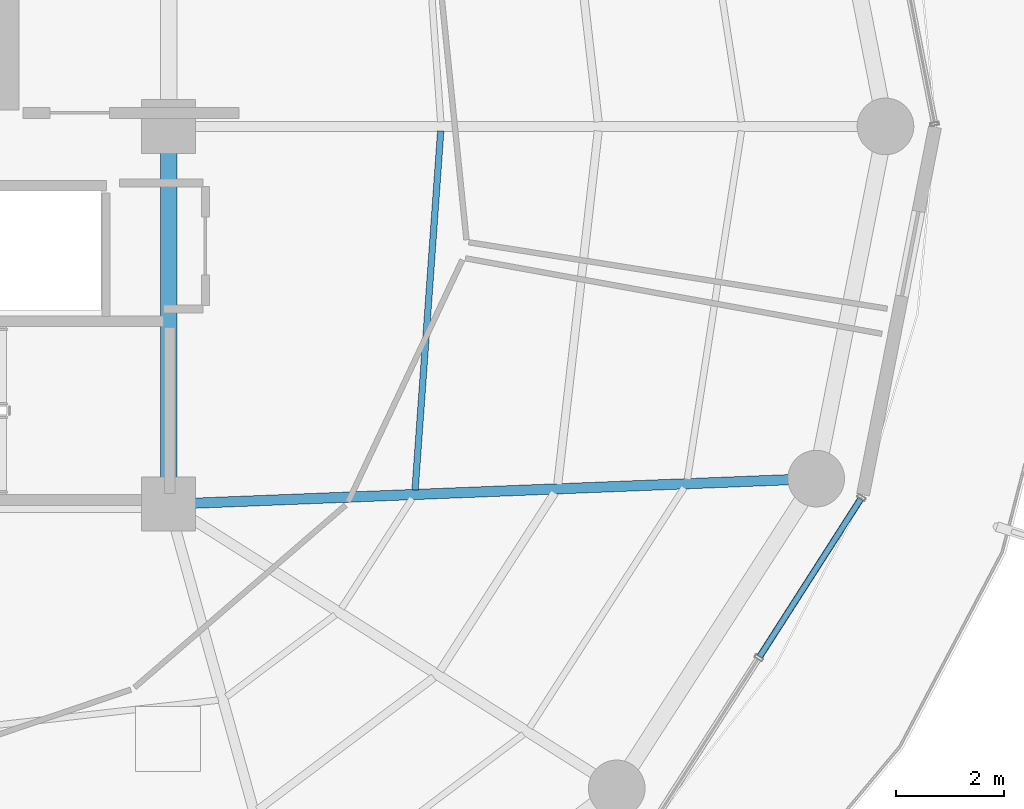
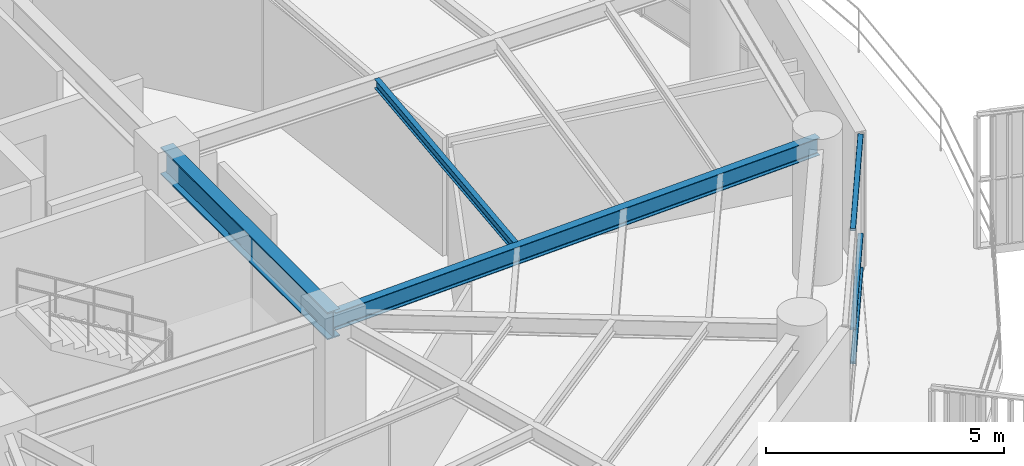
# One storey, part 12 of 31: 3 beams, 3 members, 1 element without a shape of its own.
"""IFC4 building model written with IfcOpenShell, lengths in metres."""

import ifcopenshell
import ifcopenshell.guid

model = None  # the IFC model being written
_history = None  # IfcOwnerHistory: only IFC2X3 demands one
_inside = {}  # id of a spatial element -> (the spatial element, [elements in it])
_under = {}  # id of a project, library or spatial element -> (it, [spatial elements below it])
_declared = {}  # id of a project -> (the project, [libraries it declares])
_typed = {}  # id of a type object -> (the type object, [elements of that type])
_made_of = {}  # id of a material, layer set ... -> (it, [elements and type objects made of it])


def new_model(schema):
    """Start an empty IFC model of exactly this schema.

    Asked for "IFC4X3", IfcOpenShell would pick the latest addendum, in which some entities
    have other attributes; the version numbers below select the first issue.
    IFC2X3 requires an IfcOwnerHistory on every rooted entity: one is made here for all.
    """
    global model, _history
    if schema == "IFC4X3":
        model = ifcopenshell.file(schema_version=(4, 3, 0, 0))
    else:
        model = ifcopenshell.file(schema=schema)
    _inside.clear()
    _under.clear()
    _declared.clear()
    _typed.clear()
    _made_of.clear()
    _history = None
    if model.schema == "IFC2X3":
        org = make("IfcOrganization", Name="unknown")
        user = make(
            "IfcPersonAndOrganization",
            ThePerson=make("IfcPerson", FamilyName="unknown"),
            TheOrganization=org,
        )
        app = make(
            "IfcApplication",
            ApplicationDeveloper=org,
            Version="unknown",
            ApplicationFullName="unknown",
            ApplicationIdentifier="unknown",
        )
        _history = make(
            "IfcOwnerHistory",
            OwningUser=user,
            OwningApplication=app,
            ChangeAction="ADDED",
            CreationDate=0,
        )
    return model


def make(cls, **values):
    """One entity of the class cls with the attributes given. An attribute that is None is left unset."""
    return model.create_entity(
        cls, **{name: value for name, value in values.items() if value is not None}
    )


def rooted(cls, **values):
    """An entity with a GlobalId (a new one), such as an element, a storey or a relation."""
    return make(cls, GlobalId=ifcopenshell.guid.new(), OwnerHistory=_history, **values)


def si_unit(unit_type, name, prefix=None):
    """IfcSIUnit, for example si_unit("LENGTHUNIT", "METRE", prefix="MILLI")."""
    return make("IfcSIUnit", UnitType=unit_type, Prefix=prefix, Name=name)


def assignment(units):
    """IfcUnitAssignment: the units of a project."""
    return None if units is None else make("IfcUnitAssignment", Units=units)


def point(xyz):
    """IfcCartesianPoint."""
    return None if xyz is None else make("IfcCartesianPoint", Coordinates=xyz)


def direction(xyz):
    """IfcDirection."""
    return None if xyz is None else make("IfcDirection", DirectionRatios=xyz)


def frame(location, z_axis=None, x_axis=None):
    """IfcAxis2Placement3D, a coordinate frame: its origin and axes. An axis left out is left unset."""
    return make(
        "IfcAxis2Placement3D",
        Location=point(location),
        Axis=direction(z_axis),
        RefDirection=direction(x_axis),
    )


def frame_2d(location, x_axis=None):
    """IfcAxis2Placement2D, a coordinate frame in the plane: its origin and x axis."""
    return make(
        "IfcAxis2Placement2D", Location=point(location), RefDirection=direction(x_axis)
    )


def origin():
    """The frame at (0, 0, 0) with its axes left unset."""
    return frame((0.0, 0.0, 0.0))


def origin_2d():
    """The frame at (0, 0) in the plane with its x axis left unset."""
    return frame_2d((0.0, 0.0))


def place(relative_to, where):
    """IfcLocalPlacement: puts the frame where relative to a parent placement (None: the world)."""
    return make(
        "IfcLocalPlacement", PlacementRelTo=relative_to, RelativePlacement=where
    )


def context(
    kind, dimensions, precision=None, world=None, true_north=None, identifier=None
):
    """IfcGeometricRepresentationContext, for example the 3D "Model" context."""
    return make(
        "IfcGeometricRepresentationContext",
        ContextIdentifier=identifier,
        ContextType=kind,
        CoordinateSpaceDimension=dimensions,
        Precision=precision,
        WorldCoordinateSystem=world,
        TrueNorth=true_north,
    )


def subcontext(parent, identifier, kind, view, scale=None):
    """IfcGeometricRepresentationSubContext, for example "Body" below "Model"."""
    return make(
        "IfcGeometricRepresentationSubContext",
        ContextIdentifier=identifier,
        ContextType=kind,
        ParentContext=parent,
        TargetScale=scale,
        TargetView=view,
    )


def project(units=None, contexts=None):
    """IfcProject with its units and contexts."""
    return rooted(
        "IfcProject",
        Name="project",
        RepresentationContexts=contexts,
        UnitsInContext=assignment(units),
    )


def spatial(cls, under=None, at=None, **own):
    """A site, building, storey or space (cls), placed at a placement, below another one or the project."""
    s = rooted(cls, ObjectPlacement=at, **own)
    if under is not None:
        _under.setdefault(under.id(), (under, []))[1].append(s)
    return s


def profile(cls, at=None, kind="AREA", **sizes):
    """A parametric profile (cls). Its sizes go by their IFC names, for example OverallWidth=200.0."""
    return make(cls, ProfileType=kind, Position=at, **sizes)


def hollow_rectangle(**sizes):
    """IfcRectangleHollowProfileDef."""
    return profile("IfcRectangleHollowProfileDef", **sizes)


def i_section(**sizes):
    """IfcIShapeProfileDef."""
    return profile("IfcIShapeProfileDef", **sizes)


def extrude(swept, where, along, depth):
    """IfcExtrudedAreaSolid: the profile swept, set in the frame where, extruded along a direction by depth."""
    return make(
        "IfcExtrudedAreaSolid",
        SweptArea=swept,
        Position=where,
        ExtrudedDirection=direction(along),
        Depth=depth,
    )


def shape(context_of_items, identifier, shape_type, items):
    """IfcShapeRepresentation: the items that make up one representation, for example the "Body"."""
    return make(
        "IfcShapeRepresentation",
        ContextOfItems=context_of_items,
        RepresentationIdentifier=identifier,
        RepresentationType=shape_type,
        Items=items,
    )


def material(Name=None, Category=None):
    """IfcMaterial."""
    return make("IfcMaterial", Name=Name, Category=Category)


def layer(
    of_material, thickness, ventilated=None, Name=None, Category=None, Priority=None
):
    """IfcMaterialLayer: one layer of a wall or slab, of a material (None: an air gap)."""
    return make(
        "IfcMaterialLayer",
        Material=of_material,
        LayerThickness=thickness,
        IsVentilated=ventilated,
        Name=Name,
        Category=Category,
        Priority=Priority,
    )


def layer_set(layers, Name=None):
    """IfcMaterialLayerSet."""
    return make("IfcMaterialLayerSet", MaterialLayers=layers, LayerSetName=Name)


def material_profile(
    of_material, cross_section, Name=None, Category=None, Priority=None
):
    """IfcMaterialProfile: a cross section and its material."""
    return make(
        "IfcMaterialProfile",
        Name=Name,
        Material=of_material,
        Profile=cross_section,
        Priority=Priority,
        Category=Category,
    )


def profile_set(profiles, Name=None, composite=None):
    """IfcMaterialProfileSet."""
    return make(
        "IfcMaterialProfileSet",
        Name=Name,
        MaterialProfiles=profiles,
        CompositeProfile=composite,
    )


def made_of(thing, what):
    """Note that an element or type object is made of a material, layer set ...; save() writes the relation."""
    if what is not None:
        _made_of.setdefault(what.id(), (what, []))[1].append(thing)
    return thing


def type_object(cls, material=None, **own):
    """A type object (cls), such as IfcWallType, which elements share."""
    return made_of(rooted(cls, **own), material)


def element(
    cls,
    number,
    at=None,
    inside=None,
    cuts=None,
    type_object=None,
    material=None,
    context=None,
    identifier="Body",
    shape_type=None,
    held_by="IfcProductDefinitionShape",
    body=None,
    shapes=None,
    **own,
):
    """One element of the class cls, such as IfcWall. Its Tag is "e" and its number.

    at: its placement. inside: the storey or other place that contains it. cuts: it is an
    opening in that element (IfcRelVoidsElement). A single representation is given by context,
    identifier, shape_type and body (its items); several are given by shapes. held_by: the class
    of the entity that holds the representations. save() writes the other relations.
    """
    e = rooted(cls, Tag="e%d" % number, ObjectPlacement=at, **own)
    if body is not None:
        shapes = [shape(context, identifier, shape_type, body)]
    if shapes is not None:
        e.Representation = make(held_by, Representations=shapes)
    if inside is not None:
        _inside.setdefault(inside.id(), (inside, []))[1].append(e)
    if cuts is not None:
        rooted(
            "IfcRelVoidsElement", RelatingBuildingElement=cuts, RelatedOpeningElement=e
        )
    if type_object is not None:
        _typed.setdefault(type_object.id(), (type_object, []))[1].append(e)
    return made_of(e, material)


def aggregate(whole, parts):
    """IfcRelAggregates: a whole, such as a stair, and the parts it consists of."""
    return rooted("IfcRelAggregates", RelatingObject=whole, RelatedObjects=parts)


def save(model, path):
    """Write the relations noted so far, then the file.

    IfcRelAggregates (storeys below a building ...), IfcRelContainedInSpatialStructure (elements
    in a storey), IfcRelDefinesByType, IfcRelAssociatesMaterial and IfcRelDeclares: one each for
    every whole, place, type object, material and project.
    """
    for whole, parts in _under.values():
        aggregate(whole, parts)
    for where, things in _inside.values():
        rooted(
            "IfcRelContainedInSpatialStructure",
            RelatedElements=things,
            RelatingStructure=where,
        )
    for kind, things in _typed.values():
        rooted("IfcRelDefinesByType", RelatedObjects=things, RelatingType=kind)
    for what, things in _made_of.values():
        rooted("IfcRelAssociatesMaterial", RelatedObjects=things, RelatingMaterial=what)
    for by, libraries in _declared.values():
        rooted("IfcRelDeclares", RelatingContext=by, RelatedDefinitions=libraries)
    model.write(path)


model = new_model("IFC4")

# Units and contexts
model_context = context("Model", 3, precision=1e-05, world=origin(), true_north=direction((0.0, 1.0)))
body_context = subcontext(model_context, "Body", "Model", "MODEL_VIEW")
ifc_project = project(units=[si_unit("LENGTHUNIT", "METRE"), si_unit("AREAUNIT", "SQUARE_METRE"), si_unit("VOLUMEUNIT", "CUBIC_METRE"), si_unit("PLANEANGLEUNIT", "RADIAN"), si_unit("MASSUNIT", "GRAM", prefix="KILO")], contexts=[model_context])

# Site, building, storey
site_placement = place(None, origin())
site = spatial("IfcSite", under=ifc_project, at=site_placement, CompositionType="ELEMENT")
building_placement = place(site_placement, origin())
building = spatial("IfcBuilding", under=site, at=building_placement, Name="Kelanora Arch Commons", CompositionType="ELEMENT")
storey_placement = place(building_placement, frame((0.0, 0.0, 219.449951171875)))
storey = spatial("IfcBuildingStorey", under=building, at=storey_placement, Name="L56", CompositionType="ELEMENT", Elevation=219.449951171875)

# Beams
ifc_material_1 = material(Name="Steel S355", Category="steel")
ifc_material_profile_1 = material_profile(ifc_material_1, i_section(OverallWidth=0.300048828125, OverallDepth=0.699951171875, WebThickness=0.01708984375, FlangeThickness=0.031982421875, FilletRadius=0.027099609375, at=origin_2d()), Name="HEB700")
ifc_profile_set_1 = profile_set([ifc_material_profile_1], Name="Steel S355")
beam_type_1 = type_object("IfcBeamType", Name="BM-CORE-HDR", PredefinedType="BEAM", material=ifc_profile_set_1)
beam_1_placement = place(storey_placement, frame((82.0, 51.0, 3.14013671875), z_axis=(0.0, 1.0, 0.0), x_axis=(-1.0, 0.0, 0.0)))
element("IfcBeam", 1, at=beam_1_placement, inside=storey, type_object=beam_type_1, Name="Core Header Beam 03 L56", PredefinedType="BEAM", context=body_context, shape_type="SweptSolid", body=[
    extrude(i_section(OverallWidth=0.300048828125, OverallDepth=0.699951171875, WebThickness=0.01708984375, FlangeThickness=0.031982421875, FilletRadius=0.027099609375, at=origin_2d()), origin(), (0.0, 0.0, 1.0), 7.0),
])
ifc_material_profile_2 = material_profile(ifc_material_1, i_section(OverallWidth=0.1201171875, OverallDepth=0.239990234375, WebThickness=0.006103515625, FlangeThickness=0.009765625, FilletRadius=0.014892578125, at=origin_2d()), Name="IPE240")
ifc_profile_set_2 = profile_set([ifc_material_profile_2], Name="Steel S355")
beam_type_2 = type_object("IfcBeamType", Name="BM-JST-02", PredefinedType="JOIST", material=ifc_profile_set_2)
beam_2_placement = place(storey_placement, frame((86.564697265625, 51.264892578125, 3.3701171875), z_axis=(0.07133032136, 0.997452748382, 0.0), x_axis=(-0.997452748382, 0.07133032136, 0.0)))
element("IfcBeam", 2, at=beam_2_placement, inside=storey, type_object=beam_type_2, Name="Secondary Chord Joist BJA-34 L56", PredefinedType="JOIST", context=body_context, shape_type="SweptSolid", body=[
    extrude(i_section(OverallWidth=0.1201171875, OverallDepth=0.239990234375, WebThickness=0.006103515625, FlangeThickness=0.009765625, FilletRadius=0.014892578125, at=origin_2d()), origin(), (0.0, 0.0, 1.0), 6.66748046875),
])
ifc_material_profile_3 = material_profile(ifc_material_1, i_section(OverallWidth=0.18994140625, OverallDepth=0.449951171875, WebThickness=0.009521484375, FlangeThickness=0.0146484375, FilletRadius=0.02099609375, at=origin_2d()), Name="IPE450")
ifc_profile_set_3 = profile_set([ifc_material_profile_3], Name="Steel S355")
beam_type_3 = type_object("IfcBeamType", Name="BM-RAD-Z4", PredefinedType="BEAM", material=ifc_profile_set_3)
beam_3_placement = place(storey_placement, frame((82.0, 51.0, 3.26513671875), z_axis=(0.999219142585, 0.03951082246, 0.0), x_axis=(-0.03951082246, 0.999219142585, 0.0)))
element("IfcBeam", 3, at=beam_3_placement, inside=storey, type_object=beam_type_3, Name="Radial Floor Girder BR-34 L56", PredefinedType="BEAM", context=body_context, shape_type="SweptSolid", body=[
    extrude(i_section(OverallWidth=0.18994140625, OverallDepth=0.449951171875, WebThickness=0.009521484375, FlangeThickness=0.0146484375, FilletRadius=0.02099609375, at=origin_2d()), origin(), (0.0, 0.0, 1.0), 12.005859375),
])

# Curtain wall, members
ifc_material_2 = material(Name="Terracotta ceramic-fritted low-E glass and aluminium", Category="masonry")
ifc_layer = layer(ifc_material_2, 0.175048828125)
ifc_layer_set = layer_set([ifc_layer], Name="Terracotta ceramic-fritted low-E glass and aluminium")
curtain_wall_type = type_object("IfcCurtainWallType", Name="CW-SYS-02", PredefinedType="NOTDEFINED", material=ifc_layer_set)
curtain_wall_placement = place(storey_placement, origin())
curtain_wall = element("IfcCurtainWall", 4, at=curtain_wall_placement, inside=storey, type_object=curtain_wall_type, Name="Unitised Curtain Wall L56-B16", PredefinedType="NOTDEFINED")
ifc_material_3 = material(Name="Powder-coated aluminium terracotta", Category="masonry")
ifc_material_profile_4 = material_profile(ifc_material_3, hollow_rectangle(XDim=0.1201171875, YDim=0.06005859375, WallThickness=0.0048828125, InnerFilletRadius=0.0048828125, OuterFilletRadius=0.010009765625, at=origin_2d()), Name="CWT120x60")
ifc_profile_set_4 = profile_set([ifc_material_profile_4], Name="Powder-coated aluminium terracotta")
member_type = type_object("IfcMemberType", Name="CWT-STD", PredefinedType="USERDEFINED", material=ifc_profile_set_4)
member_1_placement = place(storey_placement, frame((92.949951171875, 48.17724609375, 0.030029296875), z_axis=(0.539579095642, 0.84193491408, 0.0), x_axis=(-0.84193491408, 0.539579095642, 0.0)))
member_1 = element("IfcMember", 5, at=member_1_placement, type_object=member_type, Name="CW-02 transom 2.1", ObjectType="TRANSOM", PredefinedType="USERDEFINED", context=body_context, shape_type="SweptSolid", body=[
    extrude(hollow_rectangle(XDim=0.1201171875, YDim=0.06005859375, WallThickness=0.0048828125, InnerFilletRadius=0.0048828125, OuterFilletRadius=0.010009765625, at=origin_2d()), origin(), (0.0, 0.0, 1.0), 3.46728515625),
])
member_2_placement = place(storey_placement, frame((92.949951171875, 48.17724609375, 0.900146484375), z_axis=(0.539579095642, 0.84193491408, 0.0), x_axis=(-0.84193491408, 0.539579095642, 0.0)))
member_2 = element("IfcMember", 6, at=member_2_placement, type_object=member_type, Name="CW-02 transom 2.2", ObjectType="TRANSOM", PredefinedType="USERDEFINED", context=body_context, shape_type="SweptSolid", body=[
    extrude(hollow_rectangle(XDim=0.1201171875, YDim=0.06005859375, WallThickness=0.0048828125, InnerFilletRadius=0.0048828125, OuterFilletRadius=0.010009765625, at=origin_2d()), origin(), (0.0, 0.0, 1.0), 3.46728515625),
])
member_3_placement = place(storey_placement, frame((92.949951171875, 48.17724609375, 3.445068359375), z_axis=(0.539579095642, 0.84193491408, 0.0), x_axis=(-0.84193491408, 0.539579095642, 0.0)))
member_3 = element("IfcMember", 7, at=member_3_placement, type_object=member_type, Name="CW-02 transom 2.3", ObjectType="TRANSOM", PredefinedType="USERDEFINED", context=body_context, shape_type="SweptSolid", body=[
    extrude(hollow_rectangle(XDim=0.1201171875, YDim=0.06005859375, WallThickness=0.0048828125, InnerFilletRadius=0.0048828125, OuterFilletRadius=0.010009765625, at=origin_2d()), origin(), (0.0, 0.0, 1.0), 3.46728515625),
])
aggregate(curtain_wall, [member_1, member_2, member_3])

save(model, "model.ifc")
